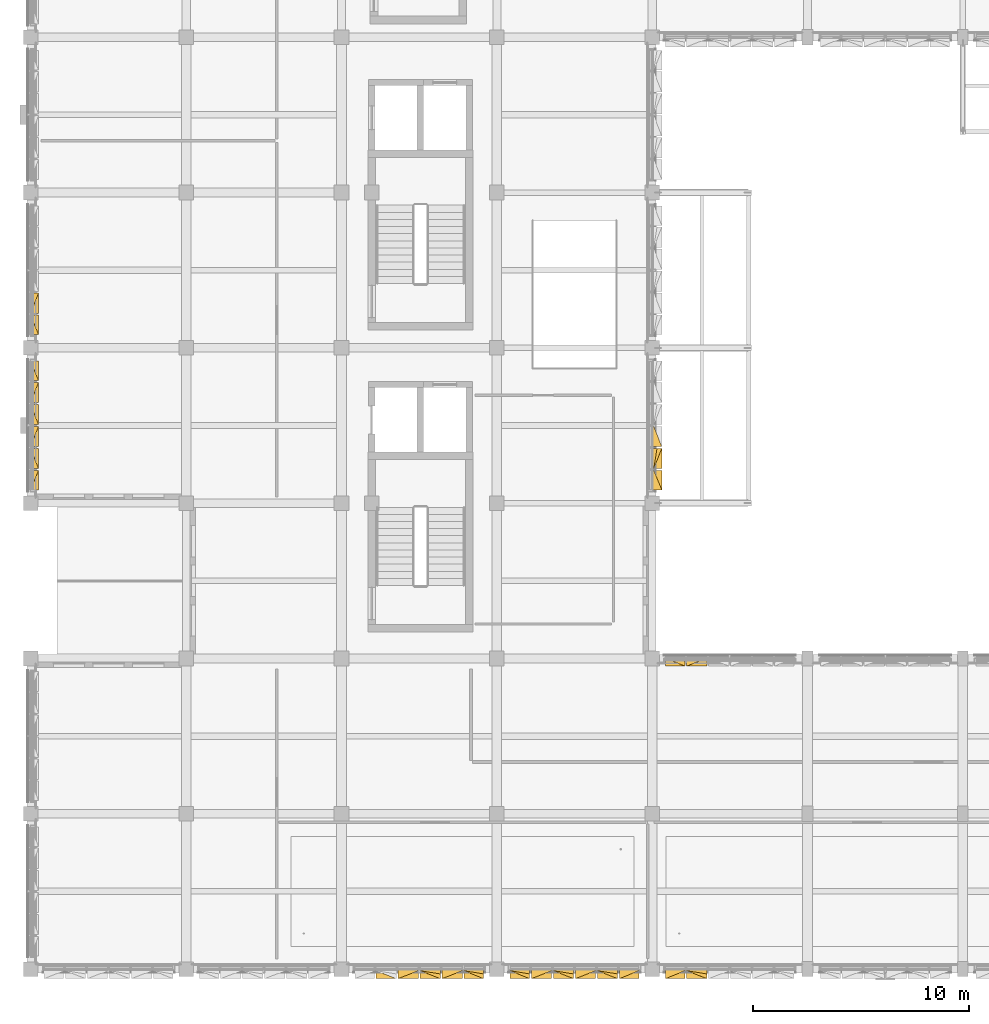
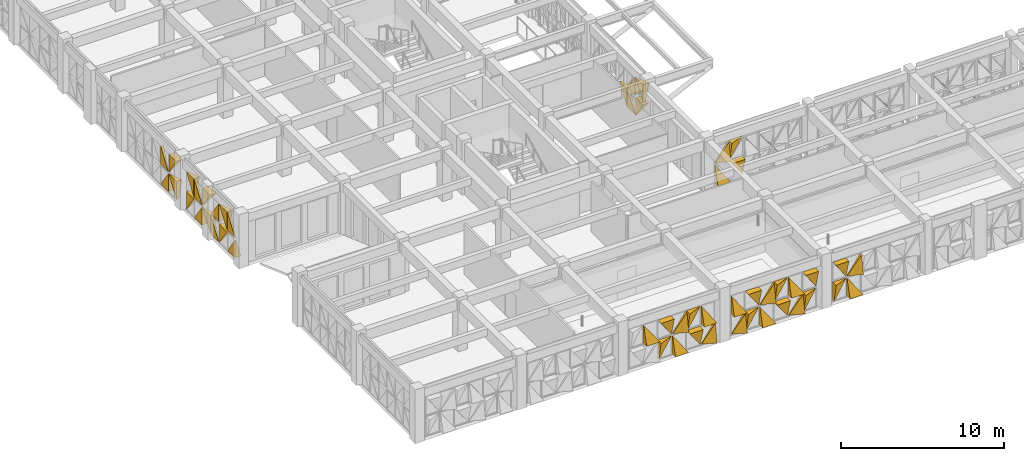
# One storey, part 81 of 88: 50 coverings.
"""IFC4 building model written with IfcOpenShell, lengths in metres."""

from ifc_helpers import new_model, si_unit, direction, frame, origin, place, context, subcontext, project, spatial, polygons, material, layer, layer_set, type_object, element, save


model = new_model("IFC4")

# Units and contexts
model_context = context("Model", 3, precision=1e-05, world=origin(), true_north=direction((0.0, 1.0)))
body_context = subcontext(model_context, "Body", "Model", "MODEL_VIEW")
ifc_project = project(units=[si_unit("LENGTHUNIT", "METRE"), si_unit("AREAUNIT", "SQUARE_METRE"), si_unit("VOLUMEUNIT", "CUBIC_METRE"), si_unit("PLANEANGLEUNIT", "RADIAN"), si_unit("MASSUNIT", "GRAM", prefix="KILO")], contexts=[model_context])

# Site, building, storey
site_placement = place(None, origin())
site = spatial("IfcSite", under=ifc_project, at=site_placement, CompositionType="ELEMENT")
building_placement = place(site_placement, origin())
building = spatial("IfcBuilding", under=site, at=building_placement, Name="Alvorim Cloister Faculty of Sciences", CompositionType="ELEMENT")
storey_placement = place(building_placement, frame((0.0, 0.0, 4.5)))
storey = spatial("IfcBuildingStorey", under=building, at=storey_placement, Name="L01", CompositionType="ELEMENT", Elevation=4.5)

# Coverings
ifc_material = material(Name="Perforated Bronze Alloy Sheet", Category="metal")
ifc_layer = layer(ifc_material, 0.0380859375)
ifc_layer_set = layer_set([ifc_layer], Name="Perforated Bronze Alloy Sheet")
covering_type = type_object("IfcCoveringType", Name="COV-TRI-BRZ", PredefinedType="CLADDING", material=ifc_layer_set)
covering_1_placement = place(storey_placement, frame((-0.044921875, 22.215087890625, 0.159912109375), z_axis=(0.0, 0.0, 1.0), x_axis=(0.0, 1.0, 0.0)))
element("IfcCovering", 1, at=covering_1_placement, inside=storey, type_object=covering_type, Name="Diagonal Solid Metal Triangle TRI-BL", PredefinedType="CLADDING", context=body_context, shape_type="Tessellation", body=[
    polygons([(0.0, 0.0260009765625, 0.0), (0.905470703125, 0.0260009765625, 0.0), (0.0, 0.0260009765625, 1.342970703125), (0.0, -0.4, 0.0), (0.905470703125, -0.4, 0.0), (0.0, -0.03, 1.342970703125)], [[[1, 3, 2]], [[4, 5, 6]], [[1, 2, 5, 4]], [[2, 3, 6, 5]], [[3, 1, 4, 6]]], closed=True),
])
covering_2_placement = place(storey_placement, frame((-0.044921875, 22.215087890625, 1.6650390625), z_axis=(0.0, 0.0, 1.0), x_axis=(0.0, 1.0, 0.0)))
element("IfcCovering", 2, at=covering_2_placement, inside=storey, type_object=covering_type, Name="Diagonal Solid Metal Triangle TRI-BR", PredefinedType="CLADDING", context=body_context, shape_type="Tessellation", body=[
    polygons([(0.002, 0.0260009765625, 0.0), (0.907470703125, 0.0260009765625, 0.0), (0.907470703125, 0.0260009765625, 1.342970703125), (0.002, -0.03, 0.0), (0.907470703125, -0.4, 0.0), (0.907470703125, -0.18000000000000002, 1.342970703125)], [[[1, 3, 2]], [[4, 5, 6]], [[1, 2, 5, 4]], [[2, 3, 6, 5]], [[3, 1, 4, 6]]], closed=True),
])
covering_3_placement = place(storey_placement, frame((-0.044921875, 23.197509765625, 0.159912109375), z_axis=(0.0, 0.0, 1.0), x_axis=(0.0, 1.0, 0.0)))
element("IfcCovering", 3, at=covering_3_placement, inside=storey, type_object=covering_type, Name="Diagonal Solid Metal Triangle TRI-TR", PredefinedType="CLADDING", context=body_context, shape_type="Tessellation", body=[
    polygons([(0.945068359375, 0.0260009765625, 0.002), (0.945068359375, 0.0260009765625, 1.344970703125), (0.002, 0.0260009765625, 1.344970703125), (0.945068359375, -0.03, 0.002), (0.945068359375, -0.4, 1.344970703125), (0.002, -0.4, 1.344970703125)], [[[1, 3, 2]], [[4, 5, 6]], [[1, 2, 5, 4]], [[2, 3, 6, 5]], [[3, 1, 4, 6]]], closed=True),
])
covering_4_placement = place(storey_placement, frame((-0.044921875, 23.197509765625, 1.6650390625), z_axis=(0.0, 0.0, 1.0), x_axis=(0.0, 1.0, 0.0)))
element("IfcCovering", 4, at=covering_4_placement, inside=storey, type_object=covering_type, Name="Diagonal Solid Metal Triangle TRI-TL", PredefinedType="CLADDING", context=body_context, shape_type="Tessellation", body=[
    polygons([(0.943068359375, 0.0260009765625, 1.344970703125), (0.0, 0.0260009765625, 1.344970703125), (0.0, 0.0260009765625, 0.002), (0.943068359375, -0.03, 1.344970703125), (0.0, -0.4, 1.344970703125), (0.0, -0.13999999999999999, 0.002)], [[[1, 3, 2]], [[4, 5, 6]], [[1, 2, 5, 4]], [[2, 3, 6, 5]], [[3, 1, 4, 6]]], closed=True),
])
covering_5_placement = place(storey_placement, frame((-0.044921875, 24.217529296875, 0.159912109375), z_axis=(0.0, 0.0, 1.0), x_axis=(0.0, 1.0, 0.0)))
element("IfcCovering", 5, at=covering_5_placement, inside=storey, type_object=covering_type, Name="Diagonal Solid Metal Triangle TRI-BR", PredefinedType="CLADDING", context=body_context, shape_type="Tessellation", body=[
    polygons([(0.002, 0.0260009765625, 0.0), (0.945068359375, 0.0260009765625, 0.0), (0.945068359375, 0.0260009765625, 1.342970703125), (0.002, -0.03, 0.0), (0.945068359375, -0.4, 0.0), (0.945068359375, -0.18000000000000002, 1.342970703125)], [[[1, 3, 2]], [[4, 5, 6]], [[1, 2, 5, 4]], [[2, 3, 6, 5]], [[3, 1, 4, 6]]], closed=True),
])
covering_6_placement = place(storey_placement, frame((-0.044921875, 24.217529296875, 1.6650390625), z_axis=(0.0, 0.0, 1.0), x_axis=(0.0, 1.0, 0.0)))
element("IfcCovering", 6, at=covering_6_placement, inside=storey, type_object=covering_type, Name="Diagonal Solid Metal Triangle TRI-BL", PredefinedType="CLADDING", context=body_context, shape_type="Tessellation", body=[
    polygons([(0.0, 0.0260009765625, 0.0), (0.943068359375, 0.0260009765625, 0.0), (0.0, 0.0260009765625, 1.342970703125), (0.0, -0.4, 0.0), (0.943068359375, -0.4, 0.0), (0.0, -0.03, 1.342970703125)], [[[1, 3, 2]], [[4, 5, 6]], [[1, 2, 5, 4]], [[2, 3, 6, 5]], [[3, 1, 4, 6]]], closed=True),
])
covering_7_placement = place(storey_placement, frame((-0.044921875, 25.237548828125, 0.159912109375), z_axis=(0.0, 0.0, 1.0), x_axis=(0.0, 1.0, 0.0)))
element("IfcCovering", 7, at=covering_7_placement, inside=storey, type_object=covering_type, Name="Diagonal Solid Metal Triangle TRI-TL", PredefinedType="CLADDING", context=body_context, shape_type="Tessellation", body=[
    polygons([(0.943068359375, 0.0260009765625, 1.344970703125), (0.0, 0.0260009765625, 1.344970703125), (0.0, 0.0260009765625, 0.002), (0.943068359375, -0.03, 1.344970703125), (0.0, -0.4, 1.344970703125), (0.0, -0.13999999999999999, 0.002)], [[[1, 3, 2]], [[4, 5, 6]], [[1, 2, 5, 4]], [[2, 3, 6, 5]], [[3, 1, 4, 6]]], closed=True),
])
covering_8_placement = place(storey_placement, frame((-0.044921875, 25.237548828125, 1.6650390625), z_axis=(0.0, 0.0, 1.0), x_axis=(0.0, 1.0, 0.0)))
element("IfcCovering", 8, at=covering_8_placement, inside=storey, type_object=covering_type, Name="Diagonal Solid Metal Triangle TRI-TR", PredefinedType="CLADDING", context=body_context, shape_type="Tessellation", body=[
    polygons([(0.945068359375, 0.0260009765625, 0.002), (0.945068359375, 0.0260009765625, 1.344970703125), (0.002, 0.0260009765625, 1.344970703125), (0.945068359375, -0.03, 0.002), (0.945068359375, -0.4, 1.344970703125), (0.002, -0.4, 1.344970703125)], [[[1, 3, 2]], [[4, 5, 6]], [[1, 2, 5, 4]], [[2, 3, 6, 5]], [[3, 1, 4, 6]]], closed=True),
])
covering_9_placement = place(storey_placement, frame((-0.044921875, 26.257568359375, 0.159912109375), z_axis=(0.0, 0.0, 1.0), x_axis=(0.0, 1.0, 0.0)))
element("IfcCovering", 9, at=covering_9_placement, inside=storey, type_object=covering_type, Name="Diagonal Solid Metal Triangle TRI-BL", PredefinedType="CLADDING", context=body_context, shape_type="Tessellation", body=[
    polygons([(0.0, 0.0260009765625, 0.0), (0.943068359375, 0.0260009765625, 0.0), (0.0, 0.0260009765625, 1.342970703125), (0.0, -0.4, 0.0), (0.943068359375, -0.4, 0.0), (0.0, -0.03, 1.342970703125)], [[[1, 3, 2]], [[4, 5, 6]], [[1, 2, 5, 4]], [[2, 3, 6, 5]], [[3, 1, 4, 6]]], closed=True),
])
covering_10_placement = place(storey_placement, frame((-0.044921875, 26.257568359375, 1.6650390625), z_axis=(0.0, 0.0, 1.0), x_axis=(0.0, 1.0, 0.0)))
element("IfcCovering", 10, at=covering_10_placement, inside=storey, type_object=covering_type, Name="Diagonal Solid Metal Triangle TRI-BR", PredefinedType="CLADDING", context=body_context, shape_type="Tessellation", body=[
    polygons([(0.002, 0.0260009765625, 0.0), (0.945068359375, 0.0260009765625, 0.0), (0.945068359375, 0.0260009765625, 1.342970703125), (0.002, -0.03, 0.0), (0.945068359375, -0.4, 0.0), (0.945068359375, -0.18000000000000002, 1.342970703125)], [[[1, 3, 2]], [[4, 5, 6]], [[1, 2, 5, 4]], [[2, 3, 6, 5]], [[3, 1, 4, 6]]], closed=True),
])
covering_11_placement = place(storey_placement, frame((-0.044921875, 27.277587890625, 0.159912109375), z_axis=(0.0, 0.0, 1.0), x_axis=(0.0, 1.0, 0.0)))
element("IfcCovering", 11, at=covering_11_placement, inside=storey, type_object=covering_type, Name="Diagonal Solid Metal Triangle TRI-TR", PredefinedType="CLADDING", context=body_context, shape_type="Tessellation", body=[
    polygons([(0.907470703125, 0.0260009765625, 0.002), (0.907470703125, 0.0260009765625, 1.344970703125), (0.002, 0.0260009765625, 1.344970703125), (0.907470703125, -0.03, 0.002), (0.907470703125, -0.4, 1.344970703125), (0.002, -0.4, 1.344970703125)], [[[1, 3, 2]], [[4, 5, 6]], [[1, 2, 5, 4]], [[2, 3, 6, 5]], [[3, 1, 4, 6]]], closed=True),
])
for number, where, z_axis, x_axis, name in (
    (12, (-0.044921875, 27.277587890625, 1.6650390625), (0.0, 0.0, 1.0), (0.0, 1.0, 0.0), "Diagonal Solid Metal Triangle TRI-TL"),
    (13, (-0.044921875, 29.4150390625, 0.159912109375), (0.0, 0.0, 1.0), (0.0, 1.0, 0.0), "Diagonal Solid Metal Triangle TRI-TL"),
):
    element("IfcCovering", number, at=place(storey_placement, frame(where, z_axis=z_axis, x_axis=x_axis)), inside=storey, type_object=covering_type, Name=name, PredefinedType="CLADDING", context=body_context, shape_type="Tessellation", body=[
        polygons([(0.905470703125, 0.0260009765625, 1.344970703125), (0.0, 0.0260009765625, 1.344970703125), (0.0, 0.0260009765625, 0.002), (0.905470703125, -0.03, 1.344970703125), (0.0, -0.4, 1.344970703125), (0.0, -0.13999999999999999, 0.002)], [[[1, 3, 2]], [[4, 5, 6]], [[1, 2, 5, 4]], [[2, 3, 6, 5]], [[3, 1, 4, 6]]], closed=True),
    ])
covering_12_placement = place(storey_placement, frame((-0.044921875, 29.4150390625, 1.6650390625), z_axis=(0.0, 0.0, 1.0), x_axis=(0.0, 1.0, 0.0)))
element("IfcCovering", 14, at=covering_12_placement, inside=storey, type_object=covering_type, Name="Diagonal Solid Metal Triangle TRI-TR", PredefinedType="CLADDING", context=body_context, shape_type="Tessellation", body=[
    polygons([(0.907470703125, 0.0260009765625, 0.002), (0.907470703125, 0.0260009765625, 1.344970703125), (0.002, 0.0260009765625, 1.344970703125), (0.907470703125, -0.03, 0.002), (0.907470703125, -0.4, 1.344970703125), (0.002, -0.4, 1.344970703125)], [[[1, 3, 2]], [[4, 5, 6]], [[1, 2, 5, 4]], [[2, 3, 6, 5]], [[3, 1, 4, 6]]], closed=True),
])
covering_13_placement = place(storey_placement, frame((-0.044921875, 30.3974609375, 0.159912109375), z_axis=(0.0, 0.0, 1.0), x_axis=(0.0, 1.0, 0.0)))
element("IfcCovering", 15, at=covering_13_placement, inside=storey, type_object=covering_type, Name="Diagonal Solid Metal Triangle TRI-BL", PredefinedType="CLADDING", context=body_context, shape_type="Tessellation", body=[
    polygons([(0.0, 0.0260009765625, 0.0), (0.943068359375, 0.0260009765625, 0.0), (0.0, 0.0260009765625, 1.342970703125), (0.0, -0.4, 0.0), (0.943068359375, -0.4, 0.0), (0.0, -0.03, 1.342970703125)], [[[1, 3, 2]], [[4, 5, 6]], [[1, 2, 5, 4]], [[2, 3, 6, 5]], [[3, 1, 4, 6]]], closed=True),
])
covering_14_placement = place(storey_placement, frame((-0.044921875, 30.3974609375, 1.6650390625), z_axis=(0.0, 0.0, 1.0), x_axis=(0.0, 1.0, 0.0)))
element("IfcCovering", 16, at=covering_14_placement, inside=storey, type_object=covering_type, Name="Diagonal Solid Metal Triangle TRI-BR", PredefinedType="CLADDING", context=body_context, shape_type="Tessellation", body=[
    polygons([(0.002, 0.0260009765625, 0.0), (0.945068359375, 0.0260009765625, 0.0), (0.945068359375, 0.0260009765625, 1.342970703125), (0.002, -0.03, 0.0), (0.945068359375, -0.4, 0.0), (0.945068359375, -0.18000000000000002, 1.342970703125)], [[[1, 3, 2]], [[4, 5, 6]], [[1, 2, 5, 4]], [[2, 3, 6, 5]], [[3, 1, 4, 6]]], closed=True),
])
covering_15_placement = place(storey_placement, frame((28.844970703125, 22.215087890625, 0.159912109375), z_axis=(0.0, 0.0, 1.0), x_axis=(0.0, 1.0, 0.0)))
element("IfcCovering", 17, at=covering_15_placement, inside=storey, type_object=covering_type, Name="Diagonal Solid Metal Triangle TRI-TR", PredefinedType="CLADDING", context=body_context, shape_type="Tessellation", body=[
    polygons([(0.907470703125, 0.0260009765625, 0.002), (0.907470703125, 0.0260009765625, 1.344970703125), (0.002, 0.0260009765625, 1.344970703125), (0.907470703125, -0.03, 0.002), (0.907470703125, -0.4, 1.344970703125), (0.002, -0.4, 1.344970703125)], [[[1, 3, 2]], [[4, 5, 6]], [[1, 2, 5, 4]], [[2, 3, 6, 5]], [[3, 1, 4, 6]]], closed=True),
])
covering_16_placement = place(storey_placement, frame((28.844970703125, 22.215087890625, 1.6650390625), z_axis=(0.0, 0.0, 1.0), x_axis=(0.0, 1.0, 0.0)))
element("IfcCovering", 18, at=covering_16_placement, inside=storey, type_object=covering_type, Name="Diagonal Solid Metal Triangle TRI-TL", PredefinedType="CLADDING", context=body_context, shape_type="Tessellation", body=[
    polygons([(0.905470703125, 0.0260009765625, 1.344970703125), (0.0, 0.0260009765625, 1.344970703125), (0.0, 0.0260009765625, 0.002), (0.905470703125, -0.03, 1.344970703125), (0.0, -0.4, 1.344970703125), (0.0, -0.13999999999999999, 0.002)], [[[1, 3, 2]], [[4, 5, 6]], [[1, 2, 5, 4]], [[2, 3, 6, 5]], [[3, 1, 4, 6]]], closed=True),
])
covering_17_placement = place(storey_placement, frame((28.844970703125, 23.197509765625, 0.159912109375), z_axis=(0.0, 0.0, 1.0), x_axis=(0.0, 1.0, 0.0)))
element("IfcCovering", 19, at=covering_17_placement, inside=storey, type_object=covering_type, Name="Diagonal Solid Metal Triangle TRI-BR", PredefinedType="CLADDING", context=body_context, shape_type="Tessellation", body=[
    polygons([(0.002, 0.0260009765625, 0.0), (0.945068359375, 0.0260009765625, 0.0), (0.945068359375, 0.0260009765625, 1.342970703125), (0.002, -0.03, 0.0), (0.945068359375, -0.4, 0.0), (0.945068359375, -0.18000000000000002, 1.342970703125)], [[[1, 3, 2]], [[4, 5, 6]], [[1, 2, 5, 4]], [[2, 3, 6, 5]], [[3, 1, 4, 6]]], closed=True),
])
covering_18_placement = place(storey_placement, frame((28.844970703125, 23.197509765625, 1.6650390625), z_axis=(0.0, 0.0, 1.0), x_axis=(0.0, 1.0, 0.0)))
element("IfcCovering", 20, at=covering_18_placement, inside=storey, type_object=covering_type, Name="Diagonal Solid Metal Triangle TRI-BL", PredefinedType="CLADDING", context=body_context, shape_type="Tessellation", body=[
    polygons([(0.0, 0.0260009765625, 0.0), (0.943068359375, 0.0260009765625, 0.0), (0.0, 0.0260009765625, 1.342970703125), (0.0, -0.4, 0.0), (0.943068359375, -0.4, 0.0), (0.0, -0.03, 1.342970703125)], [[[1, 3, 2]], [[4, 5, 6]], [[1, 2, 5, 4]], [[2, 3, 6, 5]], [[3, 1, 4, 6]]], closed=True),
])
covering_19_placement = place(storey_placement, frame((28.844970703125, 24.217529296875, 0.159912109375), z_axis=(0.0, 0.0, 1.0), x_axis=(0.0, 1.0, 0.0)))
element("IfcCovering", 21, at=covering_19_placement, inside=storey, type_object=covering_type, Name="Diagonal Solid Metal Triangle TRI-TL", PredefinedType="CLADDING", context=body_context, shape_type="Tessellation", body=[
    polygons([(0.943068359375, 0.0260009765625, 1.344970703125), (0.0, 0.0260009765625, 1.344970703125), (0.0, 0.0260009765625, 0.002), (0.943068359375, -0.03, 1.344970703125), (0.0, -0.4, 1.344970703125), (0.0, -0.13999999999999999, 0.002)], [[[1, 3, 2]], [[4, 5, 6]], [[1, 2, 5, 4]], [[2, 3, 6, 5]], [[3, 1, 4, 6]]], closed=True),
])
covering_20_placement = place(storey_placement, frame((29.4150390625, 14.445068359375, 0.159912109375), z_axis=(0.0, 0.0, 1.0), x_axis=(1.0, 0.0, 0.0)))
element("IfcCovering", 22, at=covering_20_placement, inside=storey, type_object=covering_type, Name="Diagonal Solid Metal Triangle TRI-BL", PredefinedType="CLADDING", context=body_context, shape_type="Tessellation", body=[
    polygons([(0.0, 0.0260009765625, 0.0), (0.905470703125, 0.0260009765625, 0.0), (0.0, 0.0260009765625, 1.342970703125), (0.0, -0.4, 0.0), (0.905470703125, -0.4, 0.0), (0.0, -0.03, 1.342970703125)], [[[1, 3, 2]], [[4, 5, 6]], [[1, 2, 5, 4]], [[2, 3, 6, 5]], [[3, 1, 4, 6]]], closed=True),
])
covering_21_placement = place(storey_placement, frame((29.4150390625, 14.445068359375, 1.6650390625), z_axis=(0.0, 0.0, 1.0), x_axis=(1.0, 0.0, 0.0)))
element("IfcCovering", 23, at=covering_21_placement, inside=storey, type_object=covering_type, Name="Diagonal Solid Metal Triangle TRI-BR", PredefinedType="CLADDING", context=body_context, shape_type="Tessellation", body=[
    polygons([(0.002, 0.0260009765625, 0.0), (0.907470703125, 0.0260009765625, 0.0), (0.907470703125, 0.0260009765625, 1.342970703125), (0.002, -0.03, 0.0), (0.907470703125, -0.4, 0.0), (0.907470703125, -0.18000000000000002, 1.342970703125)], [[[1, 3, 2]], [[4, 5, 6]], [[1, 2, 5, 4]], [[2, 3, 6, 5]], [[3, 1, 4, 6]]], closed=True),
])
covering_22_placement = place(storey_placement, frame((30.3974609375, 14.445068359375, 0.159912109375), z_axis=(0.0, 0.0, 1.0), x_axis=(1.0, 0.0, 0.0)))
element("IfcCovering", 24, at=covering_22_placement, inside=storey, type_object=covering_type, Name="Diagonal Solid Metal Triangle TRI-TR", PredefinedType="CLADDING", context=body_context, shape_type="Tessellation", body=[
    polygons([(0.945068359375, 0.0260009765625, 0.002), (0.945068359375, 0.0260009765625, 1.344970703125), (0.002, 0.0260009765625, 1.344970703125), (0.945068359375, -0.03, 0.002), (0.945068359375, -0.4, 1.344970703125), (0.002, -0.4, 1.344970703125)], [[[1, 3, 2]], [[4, 5, 6]], [[1, 2, 5, 4]], [[2, 3, 6, 5]], [[3, 1, 4, 6]]], closed=True),
])
covering_23_placement = place(storey_placement, frame((30.3974609375, 14.445068359375, 1.6650390625), z_axis=(0.0, 0.0, 1.0), x_axis=(1.0, 0.0, 0.0)))
element("IfcCovering", 25, at=covering_23_placement, inside=storey, type_object=covering_type, Name="Diagonal Solid Metal Triangle TRI-TL", PredefinedType="CLADDING", context=body_context, shape_type="Tessellation", body=[
    polygons([(0.943068359375, 0.0260009765625, 1.344970703125), (0.0, 0.0260009765625, 1.344970703125), (0.0, 0.0260009765625, 0.002), (0.943068359375, -0.03, 1.344970703125), (0.0, -0.4, 1.344970703125), (0.0, -0.13999999999999999, 0.002)], [[[1, 3, 2]], [[4, 5, 6]], [[1, 2, 5, 4]], [[2, 3, 6, 5]], [[3, 1, 4, 6]]], closed=True),
])
covering_24_placement = place(storey_placement, frame((29.4150390625, -0.044921875, 0.159912109375), z_axis=(0.0, 0.0, 1.0), x_axis=(1.0, 0.0, 0.0)))
element("IfcCovering", 26, at=covering_24_placement, inside=storey, type_object=covering_type, Name="Diagonal Solid Metal Triangle TRI-TL", PredefinedType="CLADDING", context=body_context, shape_type="Tessellation", body=[
    polygons([(0.905470703125, 0.0260009765625, 1.344970703125), (0.0, 0.0260009765625, 1.344970703125), (0.0, 0.0260009765625, 0.002), (0.905470703125, -0.03, 1.344970703125), (0.0, -0.4, 1.344970703125), (0.0, -0.13999999999999999, 0.002)], [[[1, 3, 2]], [[4, 5, 6]], [[1, 2, 5, 4]], [[2, 3, 6, 5]], [[3, 1, 4, 6]]], closed=True),
])
covering_25_placement = place(storey_placement, frame((29.4150390625, -0.044921875, 1.6650390625), z_axis=(0.0, 0.0, 1.0), x_axis=(1.0, 0.0, 0.0)))
element("IfcCovering", 27, at=covering_25_placement, inside=storey, type_object=covering_type, Name="Diagonal Solid Metal Triangle TRI-TR", PredefinedType="CLADDING", context=body_context, shape_type="Tessellation", body=[
    polygons([(0.907470703125, 0.0260009765625, 0.002), (0.907470703125, 0.0260009765625, 1.344970703125), (0.002, 0.0260009765625, 1.344970703125), (0.907470703125, -0.03, 0.002), (0.907470703125, -0.4, 1.344970703125), (0.002, -0.4, 1.344970703125)], [[[1, 3, 2]], [[4, 5, 6]], [[1, 2, 5, 4]], [[2, 3, 6, 5]], [[3, 1, 4, 6]]], closed=True),
])
covering_26_placement = place(storey_placement, frame((30.3974609375, -0.044921875, 0.159912109375), z_axis=(0.0, 0.0, 1.0), x_axis=(1.0, 0.0, 0.0)))
element("IfcCovering", 28, at=covering_26_placement, inside=storey, type_object=covering_type, Name="Diagonal Solid Metal Triangle TRI-BL", PredefinedType="CLADDING", context=body_context, shape_type="Tessellation", body=[
    polygons([(0.0, 0.0260009765625, 0.0), (0.943068359375, 0.0260009765625, 0.0), (0.0, 0.0260009765625, 1.342970703125), (0.0, -0.4, 0.0), (0.943068359375, -0.4, 0.0), (0.0, -0.03, 1.342970703125)], [[[1, 3, 2]], [[4, 5, 6]], [[1, 2, 5, 4]], [[2, 3, 6, 5]], [[3, 1, 4, 6]]], closed=True),
])
covering_27_placement = place(storey_placement, frame((30.3974609375, -0.044921875, 1.6650390625), z_axis=(0.0, 0.0, 1.0), x_axis=(1.0, 0.0, 0.0)))
element("IfcCovering", 29, at=covering_27_placement, inside=storey, type_object=covering_type, Name="Diagonal Solid Metal Triangle TRI-BR", PredefinedType="CLADDING", context=body_context, shape_type="Tessellation", body=[
    polygons([(0.002, 0.0260009765625, 0.0), (0.945068359375, 0.0260009765625, 0.0), (0.945068359375, 0.0260009765625, 1.342970703125), (0.002, -0.03, 0.0), (0.945068359375, -0.4, 0.0), (0.945068359375, -0.18000000000000002, 1.342970703125)], [[[1, 3, 2]], [[4, 5, 6]], [[1, 2, 5, 4]], [[2, 3, 6, 5]], [[3, 1, 4, 6]]], closed=True),
])
covering_28_placement = place(storey_placement, frame((22.215087890625, -0.044921875, 0.159912109375), z_axis=(0.0, 0.0, 1.0), x_axis=(1.0, 0.0, 0.0)))
element("IfcCovering", 30, at=covering_28_placement, inside=storey, type_object=covering_type, Name="Diagonal Solid Metal Triangle TRI-BR", PredefinedType="CLADDING", context=body_context, shape_type="Tessellation", body=[
    polygons([(0.002, 0.0260009765625, 0.0), (0.907470703125, 0.0260009765625, 0.0), (0.907470703125, 0.0260009765625, 1.342970703125), (0.002, -0.03, 0.0), (0.907470703125, -0.4, 0.0), (0.907470703125, -0.18000000000000002, 1.342970703125)], [[[1, 3, 2]], [[4, 5, 6]], [[1, 2, 5, 4]], [[2, 3, 6, 5]], [[3, 1, 4, 6]]], closed=True),
])
covering_29_placement = place(storey_placement, frame((22.215087890625, -0.044921875, 1.6650390625), z_axis=(0.0, 0.0, 1.0), x_axis=(1.0, 0.0, 0.0)))
element("IfcCovering", 31, at=covering_29_placement, inside=storey, type_object=covering_type, Name="Diagonal Solid Metal Triangle TRI-BL", PredefinedType="CLADDING", context=body_context, shape_type="Tessellation", body=[
    polygons([(0.0, 0.0260009765625, 0.0), (0.905470703125, 0.0260009765625, 0.0), (0.0, 0.0260009765625, 1.342970703125), (0.0, -0.4, 0.0), (0.905470703125, -0.4, 0.0), (0.0, -0.03, 1.342970703125)], [[[1, 3, 2]], [[4, 5, 6]], [[1, 2, 5, 4]], [[2, 3, 6, 5]], [[3, 1, 4, 6]]], closed=True),
])
covering_30_placement = place(storey_placement, frame((23.197509765625, -0.044921875, 0.159912109375), z_axis=(0.0, 0.0, 1.0), x_axis=(1.0, 0.0, 0.0)))
element("IfcCovering", 32, at=covering_30_placement, inside=storey, type_object=covering_type, Name="Diagonal Solid Metal Triangle TRI-TL", PredefinedType="CLADDING", context=body_context, shape_type="Tessellation", body=[
    polygons([(0.943068359375, 0.0260009765625, 1.344970703125), (0.0, 0.0260009765625, 1.344970703125), (0.0, 0.0260009765625, 0.002), (0.943068359375, -0.03, 1.344970703125), (0.0, -0.4, 1.344970703125), (0.0, -0.13999999999999999, 0.002)], [[[1, 3, 2]], [[4, 5, 6]], [[1, 2, 5, 4]], [[2, 3, 6, 5]], [[3, 1, 4, 6]]], closed=True),
])
covering_31_placement = place(storey_placement, frame((23.197509765625, -0.044921875, 1.6650390625), z_axis=(0.0, 0.0, 1.0), x_axis=(1.0, 0.0, 0.0)))
element("IfcCovering", 33, at=covering_31_placement, inside=storey, type_object=covering_type, Name="Diagonal Solid Metal Triangle TRI-TR", PredefinedType="CLADDING", context=body_context, shape_type="Tessellation", body=[
    polygons([(0.945068359375, 0.0260009765625, 0.002), (0.945068359375, 0.0260009765625, 1.344970703125), (0.002, 0.0260009765625, 1.344970703125), (0.945068359375, -0.03, 0.002), (0.945068359375, -0.4, 1.344970703125), (0.002, -0.4, 1.344970703125)], [[[1, 3, 2]], [[4, 5, 6]], [[1, 2, 5, 4]], [[2, 3, 6, 5]], [[3, 1, 4, 6]]], closed=True),
])
covering_32_placement = place(storey_placement, frame((24.217529296875, -0.044921875, 0.159912109375), z_axis=(0.0, 0.0, 1.0), x_axis=(1.0, 0.0, 0.0)))
element("IfcCovering", 34, at=covering_32_placement, inside=storey, type_object=covering_type, Name="Diagonal Solid Metal Triangle TRI-BL", PredefinedType="CLADDING", context=body_context, shape_type="Tessellation", body=[
    polygons([(0.0, 0.0260009765625, 0.0), (0.943068359375, 0.0260009765625, 0.0), (0.0, 0.0260009765625, 1.342970703125), (0.0, -0.4, 0.0), (0.943068359375, -0.4, 0.0), (0.0, -0.03, 1.342970703125)], [[[1, 3, 2]], [[4, 5, 6]], [[1, 2, 5, 4]], [[2, 3, 6, 5]], [[3, 1, 4, 6]]], closed=True),
])
covering_33_placement = place(storey_placement, frame((24.217529296875, -0.044921875, 1.6650390625), z_axis=(0.0, 0.0, 1.0), x_axis=(1.0, 0.0, 0.0)))
element("IfcCovering", 35, at=covering_33_placement, inside=storey, type_object=covering_type, Name="Diagonal Solid Metal Triangle TRI-BR", PredefinedType="CLADDING", context=body_context, shape_type="Tessellation", body=[
    polygons([(0.002, 0.0260009765625, 0.0), (0.945068359375, 0.0260009765625, 0.0), (0.945068359375, 0.0260009765625, 1.342970703125), (0.002, -0.03, 0.0), (0.945068359375, -0.4, 0.0), (0.945068359375, -0.18000000000000002, 1.342970703125)], [[[1, 3, 2]], [[4, 5, 6]], [[1, 2, 5, 4]], [[2, 3, 6, 5]], [[3, 1, 4, 6]]], closed=True),
])
covering_34_placement = place(storey_placement, frame((25.237548828125, -0.044921875, 0.159912109375), z_axis=(0.0, 0.0, 1.0), x_axis=(1.0, 0.0, 0.0)))
element("IfcCovering", 36, at=covering_34_placement, inside=storey, type_object=covering_type, Name="Diagonal Solid Metal Triangle TRI-TR", PredefinedType="CLADDING", context=body_context, shape_type="Tessellation", body=[
    polygons([(0.945068359375, 0.0260009765625, 0.002), (0.945068359375, 0.0260009765625, 1.344970703125), (0.002, 0.0260009765625, 1.344970703125), (0.945068359375, -0.03, 0.002), (0.945068359375, -0.4, 1.344970703125), (0.002, -0.4, 1.344970703125)], [[[1, 3, 2]], [[4, 5, 6]], [[1, 2, 5, 4]], [[2, 3, 6, 5]], [[3, 1, 4, 6]]], closed=True),
])
covering_35_placement = place(storey_placement, frame((25.237548828125, -0.044921875, 1.6650390625), z_axis=(0.0, 0.0, 1.0), x_axis=(1.0, 0.0, 0.0)))
element("IfcCovering", 37, at=covering_35_placement, inside=storey, type_object=covering_type, Name="Diagonal Solid Metal Triangle TRI-TL", PredefinedType="CLADDING", context=body_context, shape_type="Tessellation", body=[
    polygons([(0.943068359375, 0.0260009765625, 1.344970703125), (0.0, 0.0260009765625, 1.344970703125), (0.0, 0.0260009765625, 0.002), (0.943068359375, -0.03, 1.344970703125), (0.0, -0.4, 1.344970703125), (0.0, -0.13999999999999999, 0.002)], [[[1, 3, 2]], [[4, 5, 6]], [[1, 2, 5, 4]], [[2, 3, 6, 5]], [[3, 1, 4, 6]]], closed=True),
])
covering_36_placement = place(storey_placement, frame((26.257568359375, -0.044921875, 0.159912109375), z_axis=(0.0, 0.0, 1.0), x_axis=(1.0, 0.0, 0.0)))
element("IfcCovering", 38, at=covering_36_placement, inside=storey, type_object=covering_type, Name="Diagonal Solid Metal Triangle TRI-BR", PredefinedType="CLADDING", context=body_context, shape_type="Tessellation", body=[
    polygons([(0.002, 0.0260009765625, 0.0), (0.945068359375, 0.0260009765625, 0.0), (0.945068359375, 0.0260009765625, 1.342970703125), (0.002, -0.03, 0.0), (0.945068359375, -0.4, 0.0), (0.945068359375, -0.18000000000000002, 1.342970703125)], [[[1, 3, 2]], [[4, 5, 6]], [[1, 2, 5, 4]], [[2, 3, 6, 5]], [[3, 1, 4, 6]]], closed=True),
])
covering_37_placement = place(storey_placement, frame((26.257568359375, -0.044921875, 1.6650390625), z_axis=(0.0, 0.0, 1.0), x_axis=(1.0, 0.0, 0.0)))
element("IfcCovering", 39, at=covering_37_placement, inside=storey, type_object=covering_type, Name="Diagonal Solid Metal Triangle TRI-BL", PredefinedType="CLADDING", context=body_context, shape_type="Tessellation", body=[
    polygons([(0.0, 0.0260009765625, 0.0), (0.943068359375, 0.0260009765625, 0.0), (0.0, 0.0260009765625, 1.342970703125), (0.0, -0.4, 0.0), (0.943068359375, -0.4, 0.0), (0.0, -0.03, 1.342970703125)], [[[1, 3, 2]], [[4, 5, 6]], [[1, 2, 5, 4]], [[2, 3, 6, 5]], [[3, 1, 4, 6]]], closed=True),
])
covering_38_placement = place(storey_placement, frame((27.277587890625, -0.044921875, 0.159912109375), z_axis=(0.0, 0.0, 1.0), x_axis=(1.0, 0.0, 0.0)))
element("IfcCovering", 40, at=covering_38_placement, inside=storey, type_object=covering_type, Name="Diagonal Solid Metal Triangle TRI-TL", PredefinedType="CLADDING", context=body_context, shape_type="Tessellation", body=[
    polygons([(0.905470703125, 0.0260009765625, 1.344970703125), (0.0, 0.0260009765625, 1.344970703125), (0.0, 0.0260009765625, 0.002), (0.905470703125, -0.03, 1.344970703125), (0.0, -0.4, 1.344970703125), (0.0, -0.13999999999999999, 0.002)], [[[1, 3, 2]], [[4, 5, 6]], [[1, 2, 5, 4]], [[2, 3, 6, 5]], [[3, 1, 4, 6]]], closed=True),
])
covering_39_placement = place(storey_placement, frame((27.277587890625, -0.044921875, 1.6650390625), z_axis=(0.0, 0.0, 1.0), x_axis=(1.0, 0.0, 0.0)))
element("IfcCovering", 41, at=covering_39_placement, inside=storey, type_object=covering_type, Name="Diagonal Solid Metal Triangle TRI-TR", PredefinedType="CLADDING", context=body_context, shape_type="Tessellation", body=[
    polygons([(0.907470703125, 0.0260009765625, 0.002), (0.907470703125, 0.0260009765625, 1.344970703125), (0.002, 0.0260009765625, 1.344970703125), (0.907470703125, -0.03, 0.002), (0.907470703125, -0.4, 1.344970703125), (0.002, -0.4, 1.344970703125)], [[[1, 3, 2]], [[4, 5, 6]], [[1, 2, 5, 4]], [[2, 3, 6, 5]], [[3, 1, 4, 6]]], closed=True),
])
covering_40_placement = place(storey_placement, frame((15.99755859375, -0.044921875, 1.6650390625), z_axis=(0.0, 0.0, 1.0), x_axis=(1.0, 0.0, 0.0)))
element("IfcCovering", 42, at=covering_40_placement, inside=storey, type_object=covering_type, Name="Diagonal Solid Metal Triangle TRI-BL", PredefinedType="CLADDING", context=body_context, shape_type="Tessellation", body=[
    polygons([(0.0, 0.0260009765625, 0.0), (0.943068359375, 0.0260009765625, 0.0), (0.0, 0.0260009765625, 1.342970703125), (0.0, -0.4, 0.0), (0.943068359375, -0.4, 0.0), (0.0, -0.03, 1.342970703125)], [[[1, 3, 2]], [[4, 5, 6]], [[1, 2, 5, 4]], [[2, 3, 6, 5]], [[3, 1, 4, 6]]], closed=True),
])
covering_41_placement = place(storey_placement, frame((17.017578125, -0.044921875, 0.159912109375), z_axis=(0.0, 0.0, 1.0), x_axis=(1.0, 0.0, 0.0)))
element("IfcCovering", 43, at=covering_41_placement, inside=storey, type_object=covering_type, Name="Diagonal Solid Metal Triangle TRI-TL", PredefinedType="CLADDING", context=body_context, shape_type="Tessellation", body=[
    polygons([(0.943068359375, 0.0260009765625, 1.344970703125), (0.0, 0.0260009765625, 1.344970703125), (0.0, 0.0260009765625, 0.002), (0.943068359375, -0.03, 1.344970703125), (0.0, -0.4, 1.344970703125), (0.0, -0.13999999999999999, 0.002)], [[[1, 3, 2]], [[4, 5, 6]], [[1, 2, 5, 4]], [[2, 3, 6, 5]], [[3, 1, 4, 6]]], closed=True),
])
covering_42_placement = place(storey_placement, frame((17.017578125, -0.044921875, 1.6650390625), z_axis=(0.0, 0.0, 1.0), x_axis=(1.0, 0.0, 0.0)))
element("IfcCovering", 44, at=covering_42_placement, inside=storey, type_object=covering_type, Name="Diagonal Solid Metal Triangle TRI-TR", PredefinedType="CLADDING", context=body_context, shape_type="Tessellation", body=[
    polygons([(0.945068359375, 0.0260009765625, 0.002), (0.945068359375, 0.0260009765625, 1.344970703125), (0.002, 0.0260009765625, 1.344970703125), (0.945068359375, -0.03, 0.002), (0.945068359375, -0.4, 1.344970703125), (0.002, -0.4, 1.344970703125)], [[[1, 3, 2]], [[4, 5, 6]], [[1, 2, 5, 4]], [[2, 3, 6, 5]], [[3, 1, 4, 6]]], closed=True),
])
covering_43_placement = place(storey_placement, frame((18.03759765625, -0.044921875, 0.159912109375), z_axis=(0.0, 0.0, 1.0), x_axis=(1.0, 0.0, 0.0)))
element("IfcCovering", 45, at=covering_43_placement, inside=storey, type_object=covering_type, Name="Diagonal Solid Metal Triangle TRI-BL", PredefinedType="CLADDING", context=body_context, shape_type="Tessellation", body=[
    polygons([(0.0, 0.0260009765625, 0.0), (0.943068359375, 0.0260009765625, 0.0), (0.0, 0.0260009765625, 1.342970703125), (0.0, -0.4, 0.0), (0.943068359375, -0.4, 0.0), (0.0, -0.03, 1.342970703125)], [[[1, 3, 2]], [[4, 5, 6]], [[1, 2, 5, 4]], [[2, 3, 6, 5]], [[3, 1, 4, 6]]], closed=True),
])
covering_44_placement = place(storey_placement, frame((18.03759765625, -0.044921875, 1.6650390625), z_axis=(0.0, 0.0, 1.0), x_axis=(1.0, 0.0, 0.0)))
element("IfcCovering", 46, at=covering_44_placement, inside=storey, type_object=covering_type, Name="Diagonal Solid Metal Triangle TRI-BR", PredefinedType="CLADDING", context=body_context, shape_type="Tessellation", body=[
    polygons([(0.002, 0.0260009765625, 0.0), (0.945068359375, 0.0260009765625, 0.0), (0.945068359375, 0.0260009765625, 1.342970703125), (0.002, -0.03, 0.0), (0.945068359375, -0.4, 0.0), (0.945068359375, -0.18000000000000002, 1.342970703125)], [[[1, 3, 2]], [[4, 5, 6]], [[1, 2, 5, 4]], [[2, 3, 6, 5]], [[3, 1, 4, 6]]], closed=True),
])
covering_45_placement = place(storey_placement, frame((19.0576171875, -0.044921875, 0.159912109375), z_axis=(0.0, 0.0, 1.0), x_axis=(1.0, 0.0, 0.0)))
element("IfcCovering", 47, at=covering_45_placement, inside=storey, type_object=covering_type, Name="Diagonal Solid Metal Triangle TRI-TR", PredefinedType="CLADDING", context=body_context, shape_type="Tessellation", body=[
    polygons([(0.945068359375, 0.0260009765625, 0.002), (0.945068359375, 0.0260009765625, 1.344970703125), (0.002, 0.0260009765625, 1.344970703125), (0.945068359375, -0.03, 0.002), (0.945068359375, -0.4, 1.344970703125), (0.002, -0.4, 1.344970703125)], [[[1, 3, 2]], [[4, 5, 6]], [[1, 2, 5, 4]], [[2, 3, 6, 5]], [[3, 1, 4, 6]]], closed=True),
])
covering_46_placement = place(storey_placement, frame((19.0576171875, -0.044921875, 1.6650390625), z_axis=(0.0, 0.0, 1.0), x_axis=(1.0, 0.0, 0.0)))
element("IfcCovering", 48, at=covering_46_placement, inside=storey, type_object=covering_type, Name="Diagonal Solid Metal Triangle TRI-TL", PredefinedType="CLADDING", context=body_context, shape_type="Tessellation", body=[
    polygons([(0.943068359375, 0.0260009765625, 1.344970703125), (0.0, 0.0260009765625, 1.344970703125), (0.0, 0.0260009765625, 0.002), (0.943068359375, -0.03, 1.344970703125), (0.0, -0.4, 1.344970703125), (0.0, -0.13999999999999999, 0.002)], [[[1, 3, 2]], [[4, 5, 6]], [[1, 2, 5, 4]], [[2, 3, 6, 5]], [[3, 1, 4, 6]]], closed=True),
])
covering_47_placement = place(storey_placement, frame((20.077392578125, -0.044921875, 0.159912109375), z_axis=(0.0, 0.0, 1.0), x_axis=(1.0, 0.0, 0.0)))
element("IfcCovering", 49, at=covering_47_placement, inside=storey, type_object=covering_type, Name="Diagonal Solid Metal Triangle TRI-BR", PredefinedType="CLADDING", context=body_context, shape_type="Tessellation", body=[
    polygons([(0.002, 0.0260009765625, 0.0), (0.907470703125, 0.0260009765625, 0.0), (0.907470703125, 0.0260009765625, 1.342970703125), (0.002, -0.03, 0.0), (0.907470703125, -0.4, 0.0), (0.907470703125, -0.18000000000000002, 1.342970703125)], [[[1, 3, 2]], [[4, 5, 6]], [[1, 2, 5, 4]], [[2, 3, 6, 5]], [[3, 1, 4, 6]]], closed=True),
])
covering_48_placement = place(storey_placement, frame((20.077392578125, -0.044921875, 1.6650390625), z_axis=(0.0, 0.0, 1.0), x_axis=(1.0, 0.0, 0.0)))
element("IfcCovering", 50, at=covering_48_placement, inside=storey, type_object=covering_type, Name="Diagonal Solid Metal Triangle TRI-BL", PredefinedType="CLADDING", context=body_context, shape_type="Tessellation", body=[
    polygons([(0.0, 0.0260009765625, 0.0), (0.905470703125, 0.0260009765625, 0.0), (0.0, 0.0260009765625, 1.342970703125), (0.0, -0.4, 0.0), (0.905470703125, -0.4, 0.0), (0.0, -0.03, 1.342970703125)], [[[1, 3, 2]], [[4, 5, 6]], [[1, 2, 5, 4]], [[2, 3, 6, 5]], [[3, 1, 4, 6]]], closed=True),
])

save(model, "model.ifc")
